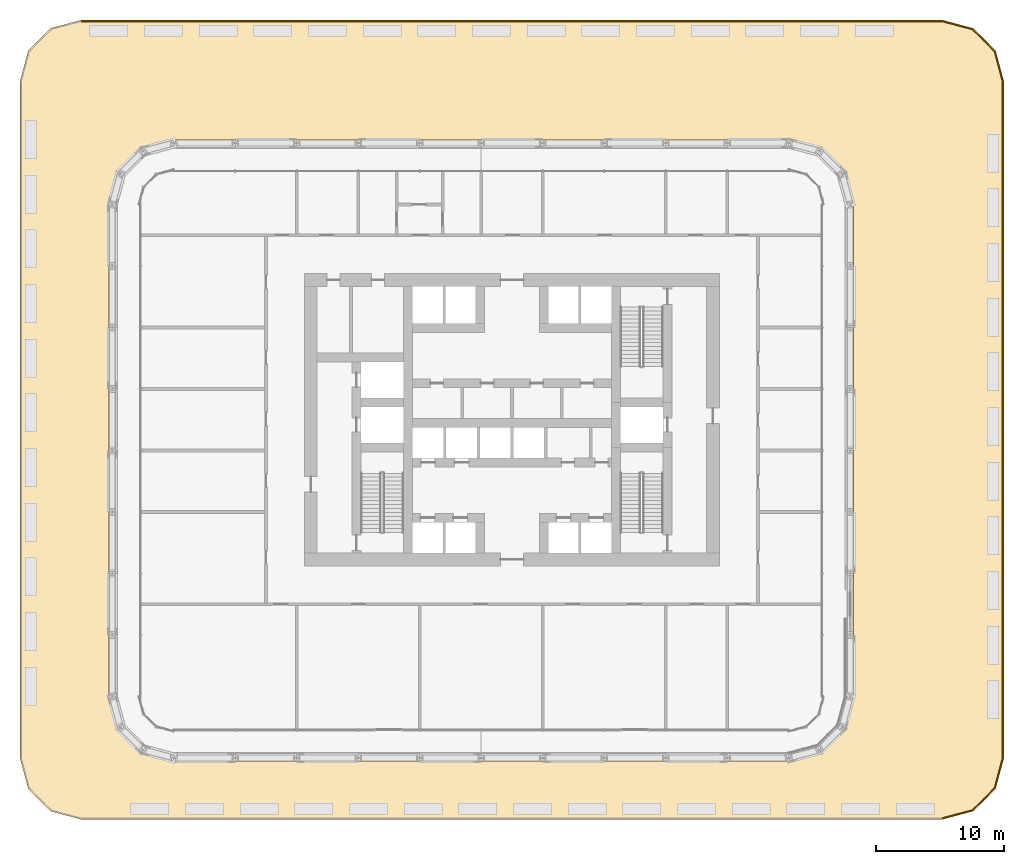
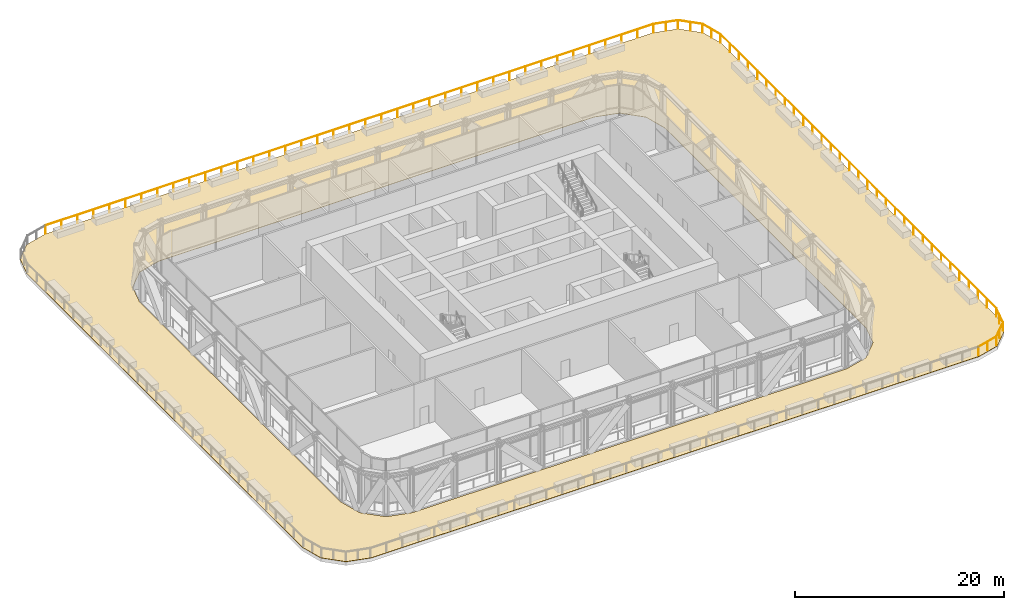
# One storey, part 20 of 22: 1 covering, 1 railing.
"""IFC4 building model written with IfcOpenShell, lengths in metres."""

from ifc_helpers import new_model, si_unit, direction, frame, origin, origin_2d, place, context, subcontext, project, spatial, polyline, circle, outline, extrude, material, layer, layer_set, type_object, element, save


model = new_model("IFC4")

# Units and contexts
model_context = context("Model", 3, precision=1e-05, world=origin(), true_north=direction((0.0, 1.0)))
body_context = subcontext(model_context, "Body", "Model", "MODEL_VIEW")
ifc_project = project(units=[si_unit("LENGTHUNIT", "METRE"), si_unit("AREAUNIT", "SQUARE_METRE"), si_unit("VOLUMEUNIT", "CUBIC_METRE"), si_unit("PLANEANGLEUNIT", "RADIAN"), si_unit("MASSUNIT", "GRAM", prefix="KILO")], contexts=[model_context])

# Site, building, storey
site_placement = place(None, origin())
site = spatial("IfcSite", under=ifc_project, at=site_placement, CompositionType="ELEMENT")
building_placement = place(site_placement, origin())
building = spatial("IfcBuilding", under=site, at=building_placement, Name="Madar Terraces", CompositionType="ELEMENT")
storey_placement = place(building_placement, frame((0.0, 0.0, 24.0)))
storey = spatial("IfcBuildingStorey", under=building, at=storey_placement, Name="L05", CompositionType="ELEMENT", Elevation=24.0)

# Railing
ifc_material_1 = material(Name="Glass, safety glazing, with stainless steel posts", Category="steel")
railing_type = type_object("IfcRailingType", Name="Balcony glass guard 1100", PredefinedType="GUARDRAIL", material=ifc_material_1)
railing_placement = place(storey_placement, frame((64.800048828125, -4.699951171875, 0.0400390625)))
element("IfcRailing", 1, at=railing_placement, inside=storey, type_object=railing_type, Name="Terrace guard", PredefinedType="GUARDRAIL", context=body_context, shape_type="SweptSolid", body=[
    extrude(circle(Radius=0.02392578125, at=origin_2d()), frame((0.0, 0.0, 1.076171875), z_axis=(0.965926101694, 0.258818017275, 0.0), x_axis=(-0.258818017275, 0.965926101694, 0.0)), (0.0, 0.0, 1.0), 2.432861328125),
    extrude(circle(Radius=0.02392578125, at=origin_2d()), frame((2.349853515625, 0.629638671875, 1.076171875), z_axis=(0.707156953733, 0.70705660508, 0.0), x_axis=(-0.70705660508, 0.707156953733, 0.0)), (0.0, 0.0, 1.0), 2.432861328125),
    extrude(circle(Radius=0.02392578125, at=origin_2d()), frame((4.0703125, 2.349853515625, 1.076171875), z_axis=(0.258792930722, 0.965932823238, 0.0), x_axis=(-0.965932823238, 0.258792930722, 0.0)), (0.0, 0.0, 1.0), 2.432861328125),
    extrude(circle(Radius=0.02392578125, at=origin_2d()), frame((4.699951171875, 4.699951171875, 1.076171875), z_axis=(0.0, 1.0, 0.0), x_axis=(-1.0, 0.0, 0.0)), (0.0, 0.0, 1.0), 52.800048828125),
    extrude(circle(Radius=0.02392578125, at=origin_2d()), frame((4.699951171875, 57.5, 1.076171875), z_axis=(-0.258818017275, 0.965926101694, 0.0), x_axis=(-0.965926101694, -0.258818017275, 0.0)), (0.0, 0.0, 1.0), 2.432861328125),
    extrude(circle(Radius=0.02392578125, at=origin_2d()), frame((4.0703125, 59.849853515625, 1.076171875), z_axis=(-0.707106781187, 0.707106781187, 0.0), x_axis=(-0.707106781187, -0.707106781187, 0.0)), (0.0, 0.0, 1.0), 2.43310546875),
    extrude(circle(Radius=0.02392578125, at=origin_2d()), frame((2.349853515625, 61.5703125, 1.076171875), z_axis=(-0.965926101694, 0.258818017275, 0.0), x_axis=(-0.258818017275, -0.965926101694, 0.0)), (0.0, 0.0, 1.0), 2.432861328125),
    extrude(circle(Radius=0.02392578125, at=origin_2d()), frame((0.0, 62.199951171875, 1.076171875), z_axis=(-1.0, 0.0, 0.0), x_axis=(0.0, -1.0, 0.0)), (0.0, 0.0, 1.0), 67.199951171875),
    extrude(circle(Radius=0.02099609375, at=origin_2d()), origin(), (0.0, 0.0, 1.0), 1.052001953125),
    extrude(circle(Radius=0.02099609375, at=origin_2d()), frame((1.1748046875, 0.31494140625, 0.0)), (0.0, 0.0, 1.0), 1.052001953125),
    extrude(circle(Radius=0.02099609375, at=origin_2d()), frame((2.349853515625, 0.629638671875, 0.0)), (0.0, 0.0, 1.0), 1.052001953125),
    extrude(circle(Radius=0.02099609375, at=origin_2d()), frame((3.2099609375, 1.48974609375, 0.0)), (0.0, 0.0, 1.0), 1.052001953125),
    extrude(circle(Radius=0.02099609375, at=origin_2d()), frame((4.0703125, 2.349853515625, 0.0)), (0.0, 0.0, 1.0), 1.052001953125),
    extrude(circle(Radius=0.02099609375, at=origin_2d()), frame((4.38525390625, 3.52490234375, 0.0)), (0.0, 0.0, 1.0), 1.052001953125),
    extrude(circle(Radius=0.02099609375, at=origin_2d()), frame((4.699951171875, 4.699951171875, 0.0)), (0.0, 0.0, 1.0), 1.052001953125),
    extrude(circle(Radius=0.02099609375, at=origin_2d()), frame((4.699951171875, 6.4599609375, 0.0)), (0.0, 0.0, 1.0), 1.052001953125),
    extrude(circle(Radius=0.02099609375, at=origin_2d()), frame((4.699951171875, 8.219970703125, 0.0)), (0.0, 0.0, 1.0), 1.052001953125),
    extrude(circle(Radius=0.02099609375, at=origin_2d()), frame((4.699951171875, 9.97998046875, 0.0)), (0.0, 0.0, 1.0), 1.052001953125),
    extrude(circle(Radius=0.02099609375, at=origin_2d()), frame((4.699951171875, 11.739990234375, 0.0)), (0.0, 0.0, 1.0), 1.052001953125),
    extrude(circle(Radius=0.02099609375, at=origin_2d()), frame((4.699951171875, 13.5, 0.0)), (0.0, 0.0, 1.0), 1.052001953125),
    extrude(circle(Radius=0.02099609375, at=origin_2d()), frame((4.699951171875, 15.260009765625, 0.0)), (0.0, 0.0, 1.0), 1.052001953125),
    extrude(circle(Radius=0.02099609375, at=origin_2d()), frame((4.699951171875, 17.02001953125, 0.0)), (0.0, 0.0, 1.0), 1.052001953125),
    extrude(circle(Radius=0.02099609375, at=origin_2d()), frame((4.699951171875, 18.780029296875, 0.0)), (0.0, 0.0, 1.0), 1.052001953125),
    extrude(circle(Radius=0.02099609375, at=origin_2d()), frame((4.699951171875, 20.5400390625, 0.0)), (0.0, 0.0, 1.0), 1.052001953125),
    extrude(circle(Radius=0.02099609375, at=origin_2d()), frame((4.699951171875, 22.300048828125, 0.0)), (0.0, 0.0, 1.0), 1.052001953125),
    extrude(circle(Radius=0.02099609375, at=origin_2d()), frame((4.699951171875, 24.06005859375, 0.0)), (0.0, 0.0, 1.0), 1.052001953125),
    extrude(circle(Radius=0.02099609375, at=origin_2d()), frame((4.699951171875, 25.820068359375, 0.0)), (0.0, 0.0, 1.0), 1.052001953125),
    extrude(circle(Radius=0.02099609375, at=origin_2d()), frame((4.699951171875, 27.580078125, 0.0)), (0.0, 0.0, 1.0), 1.052001953125),
    extrude(circle(Radius=0.02099609375, at=origin_2d()), frame((4.699951171875, 29.340087890625, 0.0)), (0.0, 0.0, 1.0), 1.052001953125),
    extrude(circle(Radius=0.02099609375, at=origin_2d()), frame((4.699951171875, 31.10009765625, 0.0)), (0.0, 0.0, 1.0), 1.052001953125),
    extrude(circle(Radius=0.02099609375, at=origin_2d()), frame((4.699951171875, 32.85986328125, 0.0)), (0.0, 0.0, 1.0), 1.052001953125),
    extrude(circle(Radius=0.02099609375, at=origin_2d()), frame((4.699951171875, 34.619873046875, 0.0)), (0.0, 0.0, 1.0), 1.052001953125),
    extrude(circle(Radius=0.02099609375, at=origin_2d()), frame((4.699951171875, 36.3798828125, 0.0)), (0.0, 0.0, 1.0), 1.052001953125),
    extrude(circle(Radius=0.02099609375, at=origin_2d()), frame((4.699951171875, 38.139892578125, 0.0)), (0.0, 0.0, 1.0), 1.052001953125),
    extrude(circle(Radius=0.02099609375, at=origin_2d()), frame((4.699951171875, 39.89990234375, 0.0)), (0.0, 0.0, 1.0), 1.052001953125),
    extrude(circle(Radius=0.02099609375, at=origin_2d()), frame((4.699951171875, 41.659912109375, 0.0)), (0.0, 0.0, 1.0), 1.052001953125),
    extrude(circle(Radius=0.02099609375, at=origin_2d()), frame((4.699951171875, 43.419921875, 0.0)), (0.0, 0.0, 1.0), 1.052001953125),
    extrude(circle(Radius=0.02099609375, at=origin_2d()), frame((4.699951171875, 45.179931640625, 0.0)), (0.0, 0.0, 1.0), 1.052001953125),
    extrude(circle(Radius=0.02099609375, at=origin_2d()), frame((4.699951171875, 46.93994140625, 0.0)), (0.0, 0.0, 1.0), 1.052001953125),
    extrude(circle(Radius=0.02099609375, at=origin_2d()), frame((4.699951171875, 48.699951171875, 0.0)), (0.0, 0.0, 1.0), 1.052001953125),
    extrude(circle(Radius=0.02099609375, at=origin_2d()), frame((4.699951171875, 50.4599609375, 0.0)), (0.0, 0.0, 1.0), 1.052001953125),
    extrude(circle(Radius=0.02099609375, at=origin_2d()), frame((4.699951171875, 52.219970703125, 0.0)), (0.0, 0.0, 1.0), 1.052001953125),
    extrude(circle(Radius=0.02099609375, at=origin_2d()), frame((4.699951171875, 53.97998046875, 0.0)), (0.0, 0.0, 1.0), 1.052001953125),
    extrude(circle(Radius=0.02099609375, at=origin_2d()), frame((4.699951171875, 55.739990234375, 0.0)), (0.0, 0.0, 1.0), 1.052001953125),
    extrude(circle(Radius=0.02099609375, at=origin_2d()), frame((4.699951171875, 57.5, 0.0)), (0.0, 0.0, 1.0), 1.052001953125),
    extrude(circle(Radius=0.02099609375, at=origin_2d()), frame((4.38525390625, 58.6748046875, 0.0)), (0.0, 0.0, 1.0), 1.052001953125),
    extrude(circle(Radius=0.02099609375, at=origin_2d()), frame((4.0703125, 59.849853515625, 0.0)), (0.0, 0.0, 1.0), 1.052001953125),
    extrude(circle(Radius=0.02099609375, at=origin_2d()), frame((3.2099609375, 60.7099609375, 0.0)), (0.0, 0.0, 1.0), 1.052001953125),
    extrude(circle(Radius=0.02099609375, at=origin_2d()), frame((2.349853515625, 61.5703125, 0.0)), (0.0, 0.0, 1.0), 1.052001953125),
    extrude(circle(Radius=0.02099609375, at=origin_2d()), frame((1.1748046875, 61.88525390625, 0.0)), (0.0, 0.0, 1.0), 1.052001953125),
    extrude(circle(Radius=0.02099609375, at=origin_2d()), frame((0.0, 62.199951171875, 0.0)), (0.0, 0.0, 1.0), 1.052001953125),
    extrude(circle(Radius=0.02099609375, at=origin_2d()), frame((-1.768310546875, 62.199951171875, 0.0)), (0.0, 0.0, 1.0), 1.052001953125),
    extrude(circle(Radius=0.02099609375, at=origin_2d()), frame((-3.536865234375, 62.199951171875, 0.0)), (0.0, 0.0, 1.0), 1.052001953125),
    extrude(circle(Radius=0.02099609375, at=origin_2d()), frame((-5.30517578125, 62.199951171875, 0.0)), (0.0, 0.0, 1.0), 1.052001953125),
    extrude(circle(Radius=0.02099609375, at=origin_2d()), frame((-7.07373046875, 62.199951171875, 0.0)), (0.0, 0.0, 1.0), 1.052001953125),
    extrude(circle(Radius=0.02099609375, at=origin_2d()), frame((-8.842041015625, 62.199951171875, 0.0)), (0.0, 0.0, 1.0), 1.052001953125),
    extrude(circle(Radius=0.02099609375, at=origin_2d()), frame((-10.610595703125, 62.199951171875, 0.0)), (0.0, 0.0, 1.0), 1.052001953125),
    extrude(circle(Radius=0.02099609375, at=origin_2d()), frame((-12.37890625, 62.199951171875, 0.0)), (0.0, 0.0, 1.0), 1.052001953125),
    extrude(circle(Radius=0.02099609375, at=origin_2d()), frame((-14.1474609375, 62.199951171875, 0.0)), (0.0, 0.0, 1.0), 1.052001953125),
    extrude(circle(Radius=0.02099609375, at=origin_2d()), frame((-15.915771484375, 62.199951171875, 0.0)), (0.0, 0.0, 1.0), 1.052001953125),
    extrude(circle(Radius=0.02099609375, at=origin_2d()), frame((-17.68408203125, 62.199951171875, 0.0)), (0.0, 0.0, 1.0), 1.052001953125),
    extrude(circle(Radius=0.02099609375, at=origin_2d()), frame((-19.45263671875, 62.199951171875, 0.0)), (0.0, 0.0, 1.0), 1.052001953125),
    extrude(circle(Radius=0.02099609375, at=origin_2d()), frame((-21.220947265625, 62.199951171875, 0.0)), (0.0, 0.0, 1.0), 1.052001953125),
    extrude(circle(Radius=0.02099609375, at=origin_2d()), frame((-22.989501953125, 62.199951171875, 0.0)), (0.0, 0.0, 1.0), 1.052001953125),
    extrude(circle(Radius=0.02099609375, at=origin_2d()), frame((-24.7578125, 62.199951171875, 0.0)), (0.0, 0.0, 1.0), 1.052001953125),
    extrude(circle(Radius=0.02099609375, at=origin_2d()), frame((-26.5263671875, 62.199951171875, 0.0)), (0.0, 0.0, 1.0), 1.052001953125),
    extrude(circle(Radius=0.02099609375, at=origin_2d()), frame((-28.294677734375, 62.199951171875, 0.0)), (0.0, 0.0, 1.0), 1.052001953125),
    extrude(circle(Radius=0.02099609375, at=origin_2d()), frame((-30.063232421875, 62.199951171875, 0.0)), (0.0, 0.0, 1.0), 1.052001953125),
    extrude(circle(Radius=0.02099609375, at=origin_2d()), frame((-31.83154296875, 62.199951171875, 0.0)), (0.0, 0.0, 1.0), 1.052001953125),
    extrude(circle(Radius=0.02099609375, at=origin_2d()), frame((-33.60009765625, 62.199951171875, 0.0)), (0.0, 0.0, 1.0), 1.052001953125),
    extrude(circle(Radius=0.02099609375, at=origin_2d()), frame((-35.368408203125, 62.199951171875, 0.0)), (0.0, 0.0, 1.0), 1.052001953125),
    extrude(circle(Radius=0.02099609375, at=origin_2d()), frame((-37.13671875, 62.199951171875, 0.0)), (0.0, 0.0, 1.0), 1.052001953125),
    extrude(circle(Radius=0.02099609375, at=origin_2d()), frame((-38.9052734375, 62.199951171875, 0.0)), (0.0, 0.0, 1.0), 1.052001953125),
    extrude(circle(Radius=0.02099609375, at=origin_2d()), frame((-40.673583984375, 62.199951171875, 0.0)), (0.0, 0.0, 1.0), 1.052001953125),
    extrude(circle(Radius=0.02099609375, at=origin_2d()), frame((-42.442138671875, 62.199951171875, 0.0)), (0.0, 0.0, 1.0), 1.052001953125),
    extrude(circle(Radius=0.02099609375, at=origin_2d()), frame((-44.21044921875, 62.199951171875, 0.0)), (0.0, 0.0, 1.0), 1.052001953125),
    extrude(circle(Radius=0.02099609375, at=origin_2d()), frame((-45.97900390625, 62.199951171875, 0.0)), (0.0, 0.0, 1.0), 1.052001953125),
    extrude(circle(Radius=0.02099609375, at=origin_2d()), frame((-47.747314453125, 62.199951171875, 0.0)), (0.0, 0.0, 1.0), 1.052001953125),
    extrude(circle(Radius=0.02099609375, at=origin_2d()), frame((-49.515869140625, 62.199951171875, 0.0)), (0.0, 0.0, 1.0), 1.052001953125),
    extrude(circle(Radius=0.02099609375, at=origin_2d()), frame((-51.2841796875, 62.199951171875, 0.0)), (0.0, 0.0, 1.0), 1.052001953125),
    extrude(circle(Radius=0.02099609375, at=origin_2d()), frame((-53.052490234375, 62.199951171875, 0.0)), (0.0, 0.0, 1.0), 1.052001953125),
    extrude(circle(Radius=0.02099609375, at=origin_2d()), frame((-54.821044921875, 62.199951171875, 0.0)), (0.0, 0.0, 1.0), 1.052001953125),
    extrude(circle(Radius=0.02099609375, at=origin_2d()), frame((-56.58935546875, 62.199951171875, 0.0)), (0.0, 0.0, 1.0), 1.052001953125),
    extrude(circle(Radius=0.02099609375, at=origin_2d()), frame((-58.35791015625, 62.199951171875, 0.0)), (0.0, 0.0, 1.0), 1.052001953125),
    extrude(circle(Radius=0.02099609375, at=origin_2d()), frame((-60.126220703125, 62.199951171875, 0.0)), (0.0, 0.0, 1.0), 1.052001953125),
    extrude(circle(Radius=0.02099609375, at=origin_2d()), frame((-61.894775390625, 62.199951171875, 0.0)), (0.0, 0.0, 1.0), 1.052001953125),
    extrude(circle(Radius=0.02099609375, at=origin_2d()), frame((-63.6630859375, 62.199951171875, 0.0)), (0.0, 0.0, 1.0), 1.052001953125),
    extrude(circle(Radius=0.02099609375, at=origin_2d()), frame((-65.431640625, 62.199951171875, 0.0)), (0.0, 0.0, 1.0), 1.052001953125),
    extrude(circle(Radius=0.02099609375, at=origin_2d()), frame((-67.199951171875, 62.199951171875, 0.0)), (0.0, 0.0, 1.0), 1.052001953125),
])

# Covering
ifc_material_2 = material(Name="Porcelain paving slabs on pedestals")
ifc_layer = layer(ifc_material_2, 0.0400390625)
ifc_layer_set = layer_set([ifc_layer], Name="Terrace paving 40")
covering_type = type_object("IfcCoveringType", Name="Terrace paving 40", PredefinedType="FLOORING", material=ifc_layer_set)
covering_placement = place(storey_placement, origin())
element("IfcCovering", 2, at=covering_placement, inside=storey, type_object=covering_type, Name="Terrace paving", PredefinedType="FLOORING", context=body_context, shape_type="SweptSolid", body=[
    extrude(outline(polyline([(-2.393310546875, -4.800048828125), (-2.397705078125, -4.7998046875), (-2.402099609375, -4.79931640625), (-2.406494140625, -4.79833984375), (-4.787109375, -4.160400390625), (-4.7919921875, -4.15869140625), (-4.796875, -4.156494140625), (-4.801513671875, -4.154052734375), (-4.8056640625, -4.15087890625), (-4.8095703125, -4.1474609375), (-6.54736328125, -2.409423828125), (-6.551025390625, -2.405517578125), (-6.553955078125, -2.4013671875), (-6.556640625, -2.396728515625), (-6.558837890625, -2.39208984375), (-6.560302734375, -2.38720703125), (-7.1982421875, -0.00634765625), (-7.19921875, -0.002197265625), (-7.19970703125, 0.002197265625), (-7.199951171875, 0.006591796875), (-7.199951171875, 52.79345703125), (-7.19970703125, 52.7978515625), (-7.19921875, 52.802001953125), (-7.1982421875, 52.806396484375), (-6.560302734375, 55.18701171875), (-6.558837890625, 55.19189453125), (-6.556640625, 55.19677734375), (-6.553955078125, 55.201416015625), (-6.551025390625, 55.20556640625), (-6.54736328125, 55.20947265625), (-4.8095703125, 56.947509765625), (-4.8056640625, 56.950927734375), (-4.801513671875, 56.9541015625), (-4.796875, 56.95654296875), (-4.7919921875, 56.958740234375), (-4.787109375, 56.96044921875), (-2.406494140625, 57.598388671875), (-2.402099609375, 57.59912109375), (-2.397705078125, 57.599853515625), (-2.393310546875, 57.60009765625), (64.79345703125, 57.60009765625), (64.7978515625, 57.599853515625), (64.802001953125, 57.59912109375), (64.806396484375, 57.598388671875), (67.18701171875, 56.96044921875), (67.19189453125, 56.958740234375), (67.19677734375, 56.95654296875), (67.201416015625, 56.9541015625), (67.20556640625, 56.950927734375), (67.20947265625, 56.947509765625), (68.947509765625, 55.20947265625), (68.950927734375, 55.20556640625), (68.9541015625, 55.201416015625), (68.95654296875, 55.19677734375), (68.958740234375, 55.19189453125), (68.96044921875, 55.18701171875), (69.598388671875, 52.806396484375), (69.59912109375, 52.802001953125), (69.599853515625, 52.7978515625), (69.60009765625, 52.79345703125), (69.60009765625, 0.006591796875), (69.599853515625, 0.002197265625), (69.59912109375, -0.002197265625), (69.598388671875, -0.00634765625), (68.96044921875, -2.38720703125), (68.958740234375, -2.39208984375), (68.95654296875, -2.396728515625), (68.9541015625, -2.4013671875), (68.950927734375, -2.405517578125), (68.947509765625, -2.409423828125), (67.20947265625, -4.1474609375), (67.20556640625, -4.15087890625), (67.201416015625, -4.154052734375), (67.19677734375, -4.156494140625), (67.19189453125, -4.15869140625), (67.18701171875, -4.160400390625), (64.806396484375, -4.79833984375), (64.802001953125, -4.79931640625), (64.7978515625, -4.7998046875), (64.79345703125, -4.800048828125), (-2.393310546875, -4.800048828125)]), holes=[polyline([(0.42919921875, 2.2763671875), (0.429931640625, 2.275390625), (2.275390625, 0.429931640625), (2.2763671875, 0.42919921875), (2.277587890625, 0.4287109375), (4.767578125, -0.238525390625), (4.7685546875, -0.23876953125), (4.769775390625, -0.23876953125), (52.830322265625, -0.23876953125), (52.831298828125, -0.23876953125), (52.83251953125, -0.238525390625), (55.322265625, 0.4287109375), (55.323486328125, 0.42919921875), (55.324462890625, 0.429931640625), (57.170166015625, 2.275390625), (57.1708984375, 2.2763671875), (57.17138671875, 2.277587890625), (57.83837890625, 4.767578125), (57.838623046875, 4.7685546875), (57.8388671875, 4.769775390625), (57.8388671875, 43.230224609375), (57.838623046875, 43.2314453125), (57.83837890625, 43.232421875), (57.17138671875, 45.722412109375), (57.1708984375, 45.7236328125), (57.170166015625, 45.724609375), (55.324462890625, 47.570068359375), (55.323486328125, 47.57080078125), (55.322265625, 47.5712890625), (52.83251953125, 48.238525390625), (52.831298828125, 48.23876953125), (52.830322265625, 48.23876953125), (4.769775390625, 48.23876953125), (4.7685546875, 48.23876953125), (4.767578125, 48.238525390625), (2.277587890625, 47.5712890625), (2.2763671875, 47.57080078125), (2.275390625, 47.570068359375), (0.429931640625, 45.724609375), (0.42919921875, 45.7236328125), (0.4287109375, 45.722412109375), (-0.238525390625, 43.232421875), (-0.23876953125, 43.2314453125), (-0.23876953125, 43.230224609375), (-0.23876953125, 4.769775390625), (-0.23876953125, 4.7685546875), (-0.238525390625, 4.767578125), (0.4287109375, 2.277587890625), (0.42919921875, 2.2763671875)])]), origin(), (0.0, 0.0, 1.0), 0.0400390625),
])

save(model, "model.ifc")
